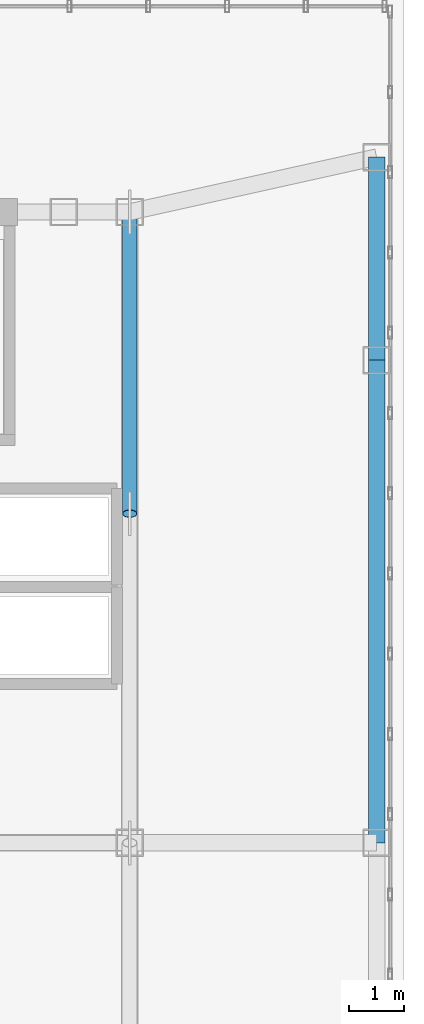
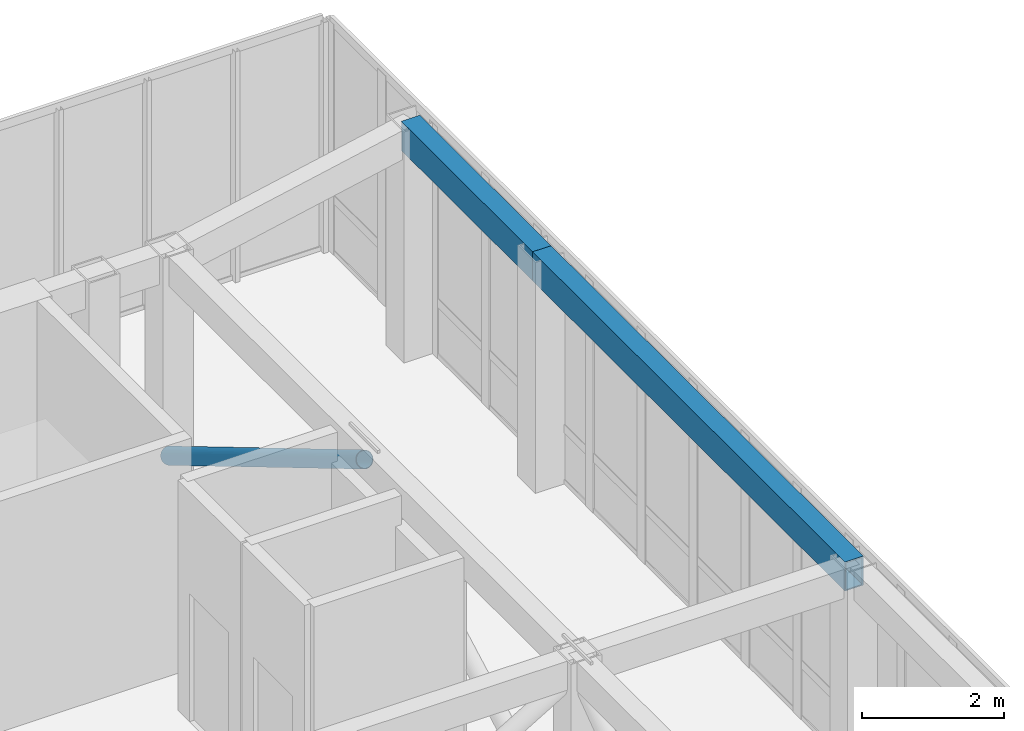
# One storey, part 8 of 13: 2 beams, 1 member.
"""IFC4 building model written with IfcOpenShell, lengths in metres."""

from ifc_helpers import new_model, si_unit, direction, frame, origin, origin_2d, place, context, subcontext, project, spatial, hollow_rectangle, hollow_circle, extrude, source, transform, mapped, material, material_profile, profile_set, type_object, element, save


model = new_model("IFC4")

# Units and contexts
model_context = context("Model", 3, precision=1e-05, world=origin(), true_north=direction((0.0, 1.0)))
body_context = subcontext(model_context, "Body", "Model", "MODEL_VIEW")
ifc_project = project(units=[si_unit("LENGTHUNIT", "METRE"), si_unit("AREAUNIT", "SQUARE_METRE"), si_unit("VOLUMEUNIT", "CUBIC_METRE"), si_unit("PLANEANGLEUNIT", "RADIAN"), si_unit("MASSUNIT", "GRAM", prefix="KILO")], contexts=[model_context])

# Site, building, storey
site_placement = place(None, origin())
site = spatial("IfcSite", under=ifc_project, at=site_placement, CompositionType="ELEMENT")
building_placement = place(site_placement, origin())
building = spatial("IfcBuilding", under=site, at=building_placement, Name="Kharzan Plaza Tower", CompositionType="ELEMENT")
storey_placement = place(building_placement, frame((0.0, 0.0, 289.800048828125)))
storey = spatial("IfcBuildingStorey", under=building, at=storey_placement, Name="L78-CROWN", CompositionType="ELEMENT", Elevation=289.800048828125)

# Beams
ifc_material = material(Name="Steel S355", Category="steel")
ifc_material_profile_1 = material_profile(ifc_material, hollow_rectangle(XDim=0.300048828125, YDim=0.5, WallThickness=0.02001953125, at=origin_2d()), Name="RHS500x300x20")
ifc_profile_set_1 = profile_set([ifc_material_profile_1], Name="Steel S355")
beam_type = type_object("IfcBeamType", Name="BM-CRN500", PredefinedType="BEAM", material=ifc_profile_set_1)
shared_shape_1 = source(origin(), body_context, "Body", "SweptSolid", [
    extrude(hollow_rectangle(XDim=0.300048828125, YDim=0.5, WallThickness=0.02001953125, at=origin_2d()), origin(), (0.0, 0.0, 1.0), 8.800048828125),
])
beam_1_placement = place(storey_placement, frame((19.0, 18.0, 3.719970703125), z_axis=(0.0, 1.0, 0.0), x_axis=(-1.0, 0.0, 0.0)))
element("IfcBeam", 1, at=beam_1_placement, inside=storey, type_object=beam_type, Name="L78-CROWN CROWN FRAME Lantern Ring Beam CRB-E2", PredefinedType="BEAM", context=body_context, shape_type="MappedRepresentation", body=[
    mapped(shared_shape_1, transform((0.0, 0.0, 0.0), x_axis=(1.0, 0.0, 0.0), y_axis=(0.0, 1.0, 0.0), z_axis=(0.0, 0.0, 1.0))),
])
shared_shape_2 = source(origin(), body_context, "Body", "SweptSolid", [
    extrude(hollow_rectangle(XDim=0.300048828125, YDim=0.5, WallThickness=0.02001953125, at=origin_2d()), origin(), (0.0, 0.0, 1.0), 3.699951171875),
])
beam_2_placement = place(storey_placement, frame((19.0, 26.800048828125, 3.719970703125), z_axis=(0.0, 1.0, 0.0), x_axis=(-1.0, 0.0, 0.0)))
element("IfcBeam", 2, at=beam_2_placement, inside=storey, type_object=beam_type, Name="L78-CROWN CROWN FRAME Lantern Ring Beam CRB-E3", PredefinedType="BEAM", context=body_context, shape_type="MappedRepresentation", body=[
    mapped(shared_shape_2, transform((0.0, 0.0, 0.0), x_axis=(1.0, 0.0, 0.0), y_axis=(0.0, 1.0, 0.0), z_axis=(0.0, 0.0, 1.0))),
])

# Member
ifc_material_profile_2 = material_profile(ifc_material, hollow_circle(Radius=0.136474609375, WallThickness=0.010009765625, at=origin_2d()), Name="CHS273x10")
ifc_profile_set_2 = profile_set([ifc_material_profile_2], Name="Steel S355")
member_type = type_object("IfcMemberType", Name="MEM-CRN-DIAG", PredefinedType="BRACE", material=ifc_profile_set_2)
shared_shape_3 = source(origin(), body_context, "Body", "SweptSolid", [
    extrude(hollow_circle(Radius=0.136474609375, WallThickness=0.010009765625, at=origin_2d()), origin(), (0.0, 0.0, 1.0), 6.398681640625),
])
member_placement = place(storey_placement, frame((14.5, 29.5, 0.349853515625), z_axis=(0.0, -0.859553101499, 0.511046441827), x_axis=(1.0, 0.0, 0.0)))
element("IfcMember", 3, at=member_placement, inside=storey, type_object=member_type, Name="L78-CROWN CROWN FRAME Diagonal Wind Brace CRD-N1", PredefinedType="BRACE", context=body_context, shape_type="MappedRepresentation", body=[
    mapped(shared_shape_3, transform((0.0, 0.0, 0.0), x_axis=(1.0, 0.0, 0.0), y_axis=(0.0, 1.0, 0.0), z_axis=(0.0, 0.0, 1.0))),
])

save(model, "model.ifc")
